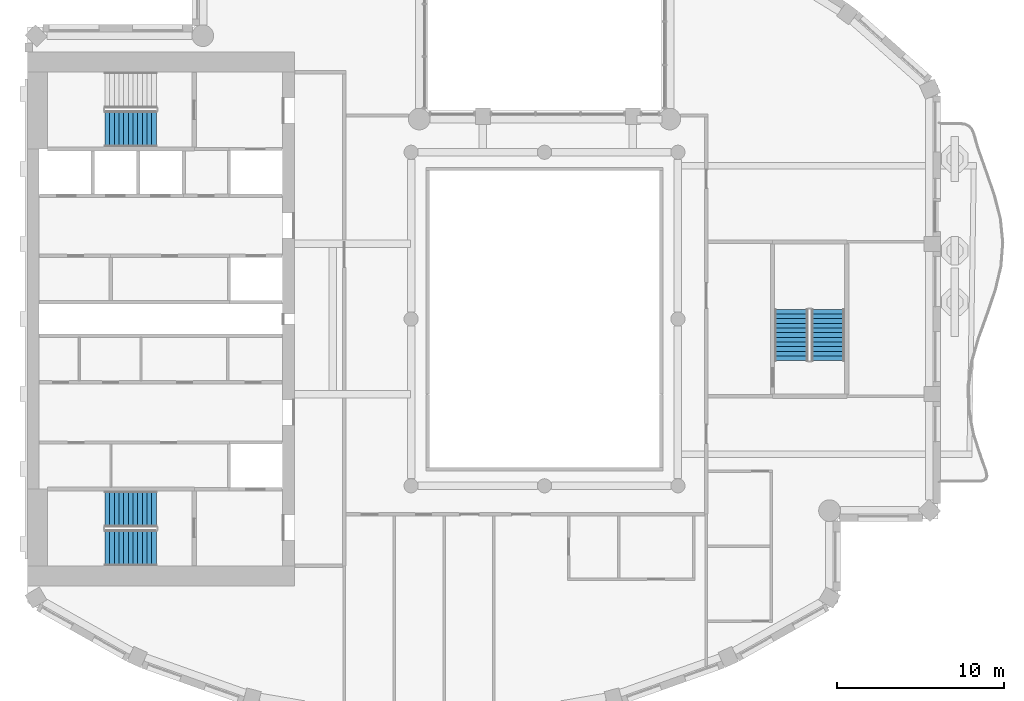
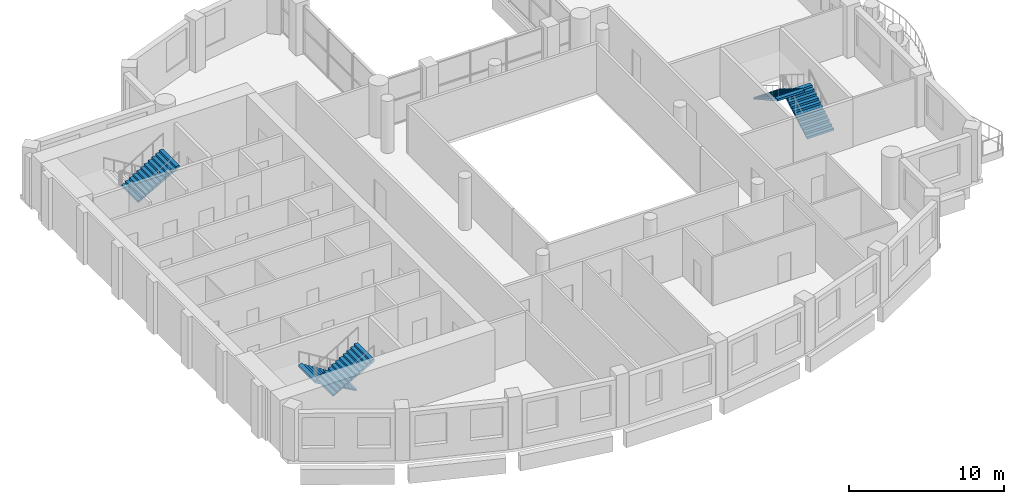
# One storey, part 8 of 14: 5 stair flights, 3 elements without a shape of their own.
"""IFC4 building model written with IfcOpenShell, lengths in metres."""

from ifc_helpers import new_model, si_unit, direction, frame, origin, place, context, subcontext, project, spatial, triangles, material, type_object, element, aggregate, save


model = new_model("IFC4")

# Units and contexts
model_context = context("Model", 3, precision=1e-05, world=origin(), true_north=direction((0.0, 1.0)))
body_context = subcontext(model_context, "Body", "Model", "MODEL_VIEW")
ifc_project = project(units=[si_unit("LENGTHUNIT", "METRE"), si_unit("AREAUNIT", "SQUARE_METRE"), si_unit("VOLUMEUNIT", "CUBIC_METRE"), si_unit("PLANEANGLEUNIT", "RADIAN"), si_unit("MASSUNIT", "GRAM", prefix="KILO")], contexts=[model_context])

# Site, building, storey
site_placement = place(None, origin())
site = spatial("IfcSite", under=ifc_project, at=site_placement, CompositionType="ELEMENT")
building_placement = place(site_placement, origin())
building = spatial("IfcBuilding", under=site, at=building_placement, Name="Cypress Arch Tower", CompositionType="ELEMENT")
storey_placement = place(building_placement, frame((0.0, 0.0, 276.199951171875)))
storey = spatial("IfcBuildingStorey", under=building, at=storey_placement, Name="L62", CompositionType="ELEMENT", Elevation=276.199951171875)

# Stair, stair flights
ifc_material_1 = material(Name="Concrete C40/50", Category="concrete")
stair_type_1 = type_object("IfcStairType", Name="Exit stair ES1708-200", PredefinedType="HALF_TURN_STAIR", material=ifc_material_1)
stair_1_placement = place(storey_placement, origin())
stair_1 = element("IfcStair", 1, at=stair_1_placement, inside=storey, type_object=stair_type_1, Name="L62 Exit stair C", PredefinedType="HALF_TURN_STAIR")
ifc_material_2 = material(Name="Concrete C40/50", Category="concrete")
stair_flight_type_1 = type_object("IfcStairFlightType", Name="Exit stair flight ES1708-200", PredefinedType="STRAIGHT", material=ifc_material_2)
stair_flight_1_placement = place(storey_placement, frame((18.0, -2.5, 0.0), z_axis=(0.0, 0.0, 1.0), x_axis=(0.0, 1.0, 0.0)))
stair_flight_1 = element("IfcStairFlight", 2, at=stair_flight_1_placement, type_object=stair_flight_type_1, Name="C flight 1", NumberOfRisers=12, NumberOfTreads=11, PredefinedType="STRAIGHT", RiserHeight=0.170833333, TreadLength=0.28, context=body_context, shape_type="Tessellation", body=[
    triangles([(0.0, -1.0, 0.0), (0.0, -1.0, 0.1708984375), (0.280029296875, -1.0, 0.1708984375), (0.280029296875, -1.0, 0.341552734375), (0.56005859375, -1.0, 0.341552734375), (0.56005859375, -1.0, 0.512451171875), (0.840087890625, -1.0, 0.512451171875), (0.840087890625, -1.0, 0.683349609375), (1.1201171875, -1.0, 0.683349609375), (1.1201171875, -1.0, 0.854248046875), (1.39990234375, -1.0, 0.854248046875), (1.39990234375, -1.0, 1.02490234375), (1.679931640625, -1.0, 1.02490234375), (1.679931640625, -1.0, 1.19580078125), (1.9599609375, -1.0, 1.19580078125), (1.9599609375, -1.0, 1.36669921875), (2.239990234375, -1.0, 1.36669921875), (2.239990234375, -1.0, 1.53759765625), (2.52001953125, -1.0, 1.53759765625), (2.52001953125, -1.0, 1.708251953125), (2.800048828125, -1.0, 1.708251953125), (2.800048828125, -1.0, 1.879150390625), (3.080078125, -1.0, 1.879150390625), (3.080078125, -1.0, 1.70361328125), (3.080078125, 1.0, 1.70361328125), (3.080078125, 1.0, 1.879150390625), (2.800048828125, 1.0, 1.879150390625), (2.800048828125, 1.0, 1.708251953125), (2.52001953125, 1.0, 1.708251953125), (2.52001953125, 1.0, 1.53759765625), (2.239990234375, 1.0, 1.53759765625), (2.239990234375, 1.0, 1.36669921875), (1.9599609375, 1.0, 1.36669921875), (1.9599609375, 1.0, 1.19580078125), (1.679931640625, 1.0, 1.19580078125), (1.679931640625, 1.0, 1.02490234375), (1.39990234375, 1.0, 1.02490234375), (1.39990234375, 1.0, 0.854248046875), (1.1201171875, 1.0, 0.854248046875), (1.1201171875, 1.0, 0.683349609375), (0.840087890625, 1.0, 0.683349609375), (0.840087890625, 1.0, 0.512451171875), (0.56005859375, 1.0, 0.512451171875), (0.56005859375, 1.0, 0.341552734375), (0.280029296875, 1.0, 0.341552734375), (0.280029296875, 1.0, 0.1708984375), (0.0, 1.0, 0.1708984375), (0.0, 1.0, 0.0), (3.080078125, 0.0, 1.879150390625), (3.080078125, 0.0, 1.70361328125), (2.800048828125, 0.0, 1.879150390625), (2.800048828125, 0.0, 1.708251953125), (2.52001953125, 0.0, 1.708251953125), (2.52001953125, 0.0, 1.53759765625), (2.239990234375, 0.0, 1.53759765625), (2.239990234375, 0.0, 1.36669921875), (1.9599609375, 0.0, 1.36669921875), (1.9599609375, 0.0, 1.19580078125), (1.679931640625, 0.0, 1.19580078125), (1.679931640625, 0.0, 1.02490234375), (1.39990234375, 0.0, 1.02490234375), (1.39990234375, 0.0, 0.854248046875), (1.1201171875, 0.0, 0.854248046875), (1.1201171875, 0.0, 0.683349609375), (0.840087890625, 0.0, 0.683349609375), (0.840087890625, 0.0, 0.512451171875), (0.56005859375, 0.0, 0.512451171875), (0.56005859375, 0.0, 0.341552734375), (0.280029296875, 0.0, 0.341552734375), (0.280029296875, 0.0, 0.1708984375), (0.0, 0.0, 0.1708984375), (0.0, 0.0, 0.0)], [[24, 23, 22], [11, 10, 9], [19, 18, 17], [17, 16, 15], [15, 14, 13], [9, 8, 7], [7, 6, 5], [3, 2, 1], [21, 20, 19], [13, 12, 11], [5, 4, 3], [24, 22, 21], [24, 21, 19], [24, 19, 17], [24, 17, 15], [24, 15, 13], [24, 13, 11], [24, 11, 9], [24, 9, 7], [24, 7, 5], [1, 24, 5], [5, 3, 1], [25, 27, 26], [38, 40, 39], [30, 32, 31], [32, 34, 33], [34, 36, 35], [40, 42, 41], [42, 44, 43], [46, 48, 47], [28, 30, 29], [36, 38, 37], [44, 46, 45], [25, 28, 27], [25, 30, 28], [25, 32, 30], [25, 34, 32], [25, 36, 34], [25, 38, 36], [25, 40, 38], [25, 42, 40], [25, 44, 42], [48, 44, 25], [44, 48, 46], [50, 49, 23], [50, 23, 24], [25, 26, 49], [25, 49, 50], [49, 51, 22], [49, 22, 23], [26, 27, 51], [26, 51, 49], [51, 52, 21], [51, 21, 22], [27, 28, 52], [27, 52, 51], [52, 53, 20], [52, 20, 21], [28, 29, 53], [28, 53, 52], [53, 54, 19], [53, 19, 20], [29, 30, 54], [29, 54, 53], [54, 55, 18], [54, 18, 19], [30, 31, 55], [30, 55, 54], [55, 56, 17], [55, 17, 18], [31, 32, 56], [31, 56, 55], [56, 57, 16], [56, 16, 17], [32, 33, 57], [32, 57, 56], [57, 58, 15], [57, 15, 16], [33, 34, 58], [33, 58, 57], [58, 59, 14], [58, 14, 15], [34, 35, 59], [34, 59, 58], [59, 60, 13], [59, 13, 14], [35, 36, 60], [35, 60, 59], [60, 61, 12], [60, 12, 13], [36, 37, 61], [36, 61, 60], [61, 62, 11], [61, 11, 12], [37, 38, 62], [37, 62, 61], [62, 63, 10], [62, 10, 11], [38, 39, 63], [38, 63, 62], [63, 64, 9], [63, 9, 10], [39, 40, 64], [39, 64, 63], [64, 65, 8], [64, 8, 9], [40, 41, 65], [40, 65, 64], [65, 66, 7], [65, 7, 8], [41, 42, 66], [41, 66, 65], [66, 67, 6], [66, 6, 7], [42, 43, 67], [42, 67, 66], [67, 68, 5], [67, 5, 6], [43, 44, 68], [43, 68, 67], [68, 69, 4], [68, 4, 5], [44, 45, 69], [44, 69, 68], [69, 70, 3], [69, 3, 4], [45, 46, 70], [45, 70, 69], [70, 71, 2], [70, 2, 3], [46, 47, 71], [46, 71, 70], [71, 72, 1], [71, 1, 2], [47, 48, 72], [47, 72, 71], [72, 50, 24], [72, 24, 1], [48, 25, 50], [48, 50, 72]], closed=True),
])
stair_flight_2_placement = place(storey_placement, frame((15.800048828125, 0.580078125, 2.050048828125), z_axis=(0.0, 0.0, 1.0), x_axis=(0.0, -1.0, 0.0)))
stair_flight_2 = element("IfcStairFlight", 3, at=stair_flight_2_placement, type_object=stair_flight_type_1, Name="C flight 2", NumberOfRisers=12, NumberOfTreads=11, PredefinedType="STRAIGHT", RiserHeight=0.170833333, TreadLength=0.28, context=body_context, shape_type="Tessellation", body=[
    triangles([(0.0, -1.0, 0.0), (0.0, -1.0, 0.1708984375), (0.280029296875, -1.0, 0.1708984375), (0.280029296875, -1.0, 0.341552734375), (0.56005859375, -1.0, 0.341552734375), (0.56005859375, -1.0, 0.512451171875), (0.840087890625, -1.0, 0.512451171875), (0.840087890625, -1.0, 0.683349609375), (1.1201171875, -1.0, 0.683349609375), (1.1201171875, -1.0, 0.854248046875), (1.39990234375, -1.0, 0.854248046875), (1.39990234375, -1.0, 1.02490234375), (1.679931640625, -1.0, 1.02490234375), (1.679931640625, -1.0, 1.19580078125), (1.9599609375, -1.0, 1.19580078125), (1.9599609375, -1.0, 1.36669921875), (2.239990234375, -1.0, 1.36669921875), (2.239990234375, -1.0, 1.53759765625), (2.52001953125, -1.0, 1.53759765625), (2.52001953125, -1.0, 1.708251953125), (2.800048828125, -1.0, 1.708251953125), (2.800048828125, -1.0, 1.879150390625), (3.080078125, -1.0, 1.879150390625), (3.080078125, -1.0, 1.70361328125), (3.080078125, 1.0, 1.70361328125), (3.080078125, 1.0, 1.879150390625), (2.800048828125, 1.0, 1.879150390625), (2.800048828125, 1.0, 1.708251953125), (2.52001953125, 1.0, 1.708251953125), (2.52001953125, 1.0, 1.53759765625), (2.239990234375, 1.0, 1.53759765625), (2.239990234375, 1.0, 1.36669921875), (1.9599609375, 1.0, 1.36669921875), (1.9599609375, 1.0, 1.19580078125), (1.679931640625, 1.0, 1.19580078125), (1.679931640625, 1.0, 1.02490234375), (1.39990234375, 1.0, 1.02490234375), (1.39990234375, 1.0, 0.854248046875), (1.1201171875, 1.0, 0.854248046875), (1.1201171875, 1.0, 0.683349609375), (0.840087890625, 1.0, 0.683349609375), (0.840087890625, 1.0, 0.512451171875), (0.56005859375, 1.0, 0.512451171875), (0.56005859375, 1.0, 0.341552734375), (0.280029296875, 1.0, 0.341552734375), (0.280029296875, 1.0, 0.1708984375), (0.0, 1.0, 0.1708984375), (0.0, 1.0, 0.0), (3.080078125, 0.0, 1.879150390625), (3.080078125, 0.0, 1.70361328125), (2.800048828125, 0.0, 1.879150390625), (2.800048828125, 0.0, 1.708251953125), (2.52001953125, 0.0, 1.708251953125), (2.52001953125, 0.0, 1.53759765625), (2.239990234375, 0.0, 1.53759765625), (2.239990234375, 0.0, 1.36669921875), (1.9599609375, 0.0, 1.36669921875), (1.9599609375, 0.0, 1.19580078125), (1.679931640625, 0.0, 1.19580078125), (1.679931640625, 0.0, 1.02490234375), (1.39990234375, 0.0, 1.02490234375), (1.39990234375, 0.0, 0.854248046875), (1.1201171875, 0.0, 0.854248046875), (1.1201171875, 0.0, 0.683349609375), (0.840087890625, 0.0, 0.683349609375), (0.840087890625, 0.0, 0.512451171875), (0.56005859375, 0.0, 0.512451171875), (0.56005859375, 0.0, 0.341552734375), (0.280029296875, 0.0, 0.341552734375), (0.280029296875, 0.0, 0.1708984375), (0.0, 0.0, 0.1708984375), (0.0, 0.0, 0.0)], [[24, 23, 22], [11, 10, 9], [19, 18, 17], [17, 16, 15], [15, 14, 13], [9, 8, 7], [7, 6, 5], [3, 2, 1], [21, 20, 19], [13, 12, 11], [5, 4, 3], [24, 22, 21], [24, 21, 19], [24, 19, 17], [24, 17, 15], [24, 15, 13], [24, 13, 11], [24, 11, 9], [24, 9, 7], [24, 7, 5], [1, 24, 5], [5, 3, 1], [25, 27, 26], [38, 40, 39], [30, 32, 31], [32, 34, 33], [34, 36, 35], [40, 42, 41], [42, 44, 43], [46, 48, 47], [28, 30, 29], [36, 38, 37], [44, 46, 45], [25, 28, 27], [25, 30, 28], [25, 32, 30], [25, 34, 32], [25, 36, 34], [25, 38, 36], [25, 40, 38], [25, 42, 40], [25, 44, 42], [48, 44, 25], [44, 48, 46], [50, 49, 23], [50, 23, 24], [25, 26, 49], [25, 49, 50], [49, 51, 22], [49, 22, 23], [26, 27, 51], [26, 51, 49], [51, 52, 21], [51, 21, 22], [27, 28, 52], [27, 52, 51], [52, 53, 20], [52, 20, 21], [28, 29, 53], [28, 53, 52], [53, 54, 19], [53, 19, 20], [29, 30, 54], [29, 54, 53], [54, 55, 18], [54, 18, 19], [30, 31, 55], [30, 55, 54], [55, 56, 17], [55, 17, 18], [31, 32, 56], [31, 56, 55], [56, 57, 16], [56, 16, 17], [32, 33, 57], [32, 57, 56], [57, 58, 15], [57, 15, 16], [33, 34, 58], [33, 58, 57], [58, 59, 14], [58, 14, 15], [34, 35, 59], [34, 59, 58], [59, 60, 13], [59, 13, 14], [35, 36, 60], [35, 60, 59], [60, 61, 12], [60, 12, 13], [36, 37, 61], [36, 61, 60], [61, 62, 11], [61, 11, 12], [37, 38, 62], [37, 62, 61], [62, 63, 10], [62, 10, 11], [38, 39, 63], [38, 63, 62], [63, 64, 9], [63, 9, 10], [39, 40, 64], [39, 64, 63], [64, 65, 8], [64, 8, 9], [40, 41, 65], [40, 65, 64], [65, 66, 7], [65, 7, 8], [41, 42, 66], [41, 66, 65], [66, 67, 6], [66, 6, 7], [42, 43, 67], [42, 67, 66], [67, 68, 5], [67, 5, 6], [43, 44, 68], [43, 68, 67], [68, 69, 4], [68, 4, 5], [44, 45, 69], [44, 69, 68], [69, 70, 3], [69, 3, 4], [45, 46, 70], [45, 70, 69], [70, 71, 2], [70, 2, 3], [46, 47, 71], [46, 71, 70], [71, 72, 1], [71, 1, 2], [47, 48, 72], [47, 72, 71], [72, 50, 24], [72, 24, 1], [48, 25, 50], [48, 50, 72]], closed=True),
])
aggregate(stair_1, [stair_flight_1, stair_flight_2])

ifc_material_3 = material(Name="Concrete C40/50", Category="concrete")
stair_type_2 = type_object("IfcStairType", Name="Exit stair ES1708-215", PredefinedType="HALF_TURN_STAIR", material=ifc_material_3)
stair_2_placement = place(storey_placement, origin())
stair_2 = element("IfcStair", 4, at=stair_2_placement, inside=storey, type_object=stair_type_2, Name="L62 Exit stair A", PredefinedType="HALF_TURN_STAIR")
ifc_material_4 = material(Name="Concrete C40/50", Category="concrete")
stair_flight_type_2 = type_object("IfcStairFlightType", Name="Exit stair flight ES1708-215", PredefinedType="STRAIGHT", material=ifc_material_4)
stair_flight_3_placement = place(storey_placement, frame((-22.27490234375, -11.39990234375, 0.0), z_axis=(0.0, 0.0, 1.0), x_axis=(-1.0, 0.0, 0.0)))
stair_flight_3 = element("IfcStairFlight", 5, at=stair_flight_3_placement, type_object=stair_flight_type_2, Name="A flight 1", NumberOfRisers=12, NumberOfTreads=11, PredefinedType="STRAIGHT", RiserHeight=0.170833333, TreadLength=0.28, context=body_context, shape_type="Tessellation", body=[
    triangles([(0.0, -1.074951171875, 0.0), (0.000244140625, -1.074951171875, 0.01904296875), (0.000244140625, -1.074951171875, 0.0380859375), (0.00048828125, -1.074951171875, 0.056884765625), (0.00048828125, -1.074951171875, 0.075927734375), (0.00048828125, -1.074951171875, 0.094970703125), (0.00048828125, -1.074951171875, 0.114013671875), (0.000244140625, -1.074951171875, 0.1328125), (0.000244140625, -1.074951171875, 0.15185546875), (0.0, -1.074951171875, 0.1708984375), (0.280029296875, -1.074951171875, 0.1708984375), (0.280029296875, -1.074951171875, 0.341552734375), (0.56005859375, -1.074951171875, 0.341552734375), (0.56005859375, -1.074951171875, 0.512451171875), (0.840087890625, -1.074951171875, 0.512451171875), (0.840087890625, -1.074951171875, 0.683349609375), (1.1201171875, -1.074951171875, 0.683349609375), (1.1201171875, -1.074951171875, 0.854248046875), (1.39990234375, -1.074951171875, 0.854248046875), (1.39990234375, -1.074951171875, 1.02490234375), (1.679931640625, -1.074951171875, 1.02490234375), (1.679931640625, -1.074951171875, 1.19580078125), (1.9599609375, -1.074951171875, 1.19580078125), (1.9599609375, -1.074951171875, 1.36669921875), (2.239990234375, -1.074951171875, 1.36669921875), (2.239990234375, -1.074951171875, 1.53759765625), (2.52001953125, -1.074951171875, 1.53759765625), (2.52001953125, -1.074951171875, 1.708251953125), (2.800048828125, -1.074951171875, 1.708251953125), (2.800048828125, -1.074951171875, 1.879150390625), (3.080078125, -1.074951171875, 1.879150390625), (3.079833984375, -1.074951171875, 1.859619140625), (3.079833984375, -1.074951171875, 1.840087890625), (3.07958984375, -1.074951171875, 1.820556640625), (3.07958984375, -1.074951171875, 1.801025390625), (3.07958984375, -1.074951171875, 1.78173828125), (3.07958984375, -1.074951171875, 1.76220703125), (3.079833984375, -1.074951171875, 1.74267578125), (3.079833984375, -1.074951171875, 1.72314453125), (3.080078125, -1.074951171875, 1.70361328125), (3.080078125, 1.074951171875, 1.70361328125), (3.079833984375, 1.074951171875, 1.72314453125), (3.079833984375, 1.074951171875, 1.74267578125), (3.07958984375, 1.074951171875, 1.76220703125), (3.07958984375, 1.074951171875, 1.78173828125), (3.07958984375, 1.074951171875, 1.801025390625), (3.07958984375, 1.074951171875, 1.820556640625), (3.079833984375, 1.074951171875, 1.840087890625), (3.079833984375, 1.074951171875, 1.859619140625), (3.080078125, 1.074951171875, 1.879150390625), (2.800048828125, 1.074951171875, 1.879150390625), (2.800048828125, 1.074951171875, 1.708251953125), (2.52001953125, 1.074951171875, 1.708251953125), (2.52001953125, 1.074951171875, 1.53759765625), (2.239990234375, 1.074951171875, 1.53759765625), (2.239990234375, 1.074951171875, 1.36669921875), (1.9599609375, 1.074951171875, 1.36669921875), (1.9599609375, 1.074951171875, 1.19580078125), (1.679931640625, 1.074951171875, 1.19580078125), (1.679931640625, 1.074951171875, 1.02490234375), (1.39990234375, 1.074951171875, 1.02490234375), (1.39990234375, 1.074951171875, 0.854248046875), (1.1201171875, 1.074951171875, 0.854248046875), (1.1201171875, 1.074951171875, 0.683349609375), (0.840087890625, 1.074951171875, 0.683349609375), (0.840087890625, 1.074951171875, 0.512451171875), (0.56005859375, 1.074951171875, 0.512451171875), (0.56005859375, 1.074951171875, 0.341552734375), (0.280029296875, 1.074951171875, 0.341552734375), (0.280029296875, 1.074951171875, 0.1708984375), (0.0, 1.074951171875, 0.1708984375), (0.000244140625, 1.074951171875, 0.15185546875), (0.000244140625, 1.074951171875, 0.1328125), (0.00048828125, 1.074951171875, 0.114013671875), (0.00048828125, 1.074951171875, 0.094970703125), (0.00048828125, 1.074951171875, 0.075927734375), (0.00048828125, 1.074951171875, 0.056884765625), (0.000244140625, 1.074951171875, 0.0380859375), (0.000244140625, 1.074951171875, 0.01904296875), (0.0, 1.074951171875, 0.0)], [[40, 39, 30], [39, 38, 30], [38, 37, 30], [37, 36, 30], [36, 35, 30], [35, 34, 30], [34, 33, 30], [33, 32, 30], [32, 31, 30], [19, 18, 17], [27, 26, 25], [25, 24, 23], [23, 22, 21], [17, 16, 15], [15, 14, 13], [10, 9, 11], [9, 8, 11], [8, 7, 11], [7, 6, 11], [6, 5, 11], [5, 4, 11], [4, 3, 11], [3, 2, 11], [2, 1, 11], [29, 28, 27], [21, 20, 19], [13, 12, 11], [40, 30, 29], [40, 29, 27], [40, 27, 25], [40, 25, 23], [40, 23, 21], [40, 21, 19], [40, 19, 17], [40, 17, 15], [40, 15, 13], [1, 40, 13], [13, 11, 1], [41, 51, 42], [42, 51, 43], [43, 51, 44], [44, 51, 45], [45, 51, 46], [46, 51, 47], [47, 51, 48], [48, 51, 49], [49, 51, 50], [62, 64, 63], [54, 56, 55], [56, 58, 57], [58, 60, 59], [64, 66, 65], [66, 68, 67], [71, 70, 72], [72, 70, 73], [73, 70, 74], [74, 70, 75], [75, 70, 76], [76, 70, 77], [77, 70, 78], [78, 70, 79], [79, 70, 80], [52, 54, 53], [60, 62, 61], [68, 70, 69], [41, 52, 51], [41, 54, 52], [41, 56, 54], [41, 58, 56], [41, 60, 58], [41, 62, 60], [41, 64, 62], [41, 66, 64], [41, 68, 66], [80, 68, 41], [68, 80, 70], [41, 42, 39], [41, 39, 40], [42, 43, 38], [42, 38, 39], [43, 44, 37], [43, 37, 38], [44, 45, 36], [44, 36, 37], [45, 46, 35], [45, 35, 36], [46, 47, 34], [46, 34, 35], [47, 48, 33], [47, 33, 34], [48, 49, 32], [48, 32, 33], [49, 50, 31], [49, 31, 32], [50, 51, 30], [50, 30, 31], [51, 52, 29], [51, 29, 30], [52, 53, 28], [52, 28, 29], [53, 54, 27], [53, 27, 28], [54, 55, 26], [54, 26, 27], [55, 56, 25], [55, 25, 26], [56, 57, 24], [56, 24, 25], [57, 58, 23], [57, 23, 24], [58, 59, 22], [58, 22, 23], [59, 60, 21], [59, 21, 22], [60, 61, 20], [60, 20, 21], [61, 62, 19], [61, 19, 20], [62, 63, 18], [62, 18, 19], [63, 64, 17], [63, 17, 18], [64, 65, 16], [64, 16, 17], [65, 66, 15], [65, 15, 16], [66, 67, 14], [66, 14, 15], [67, 68, 13], [67, 13, 14], [68, 69, 12], [68, 12, 13], [69, 70, 11], [69, 11, 12], [70, 71, 10], [70, 10, 11], [71, 72, 9], [71, 9, 10], [72, 73, 8], [72, 8, 9], [73, 74, 7], [73, 7, 8], [74, 75, 6], [74, 6, 7], [75, 76, 5], [75, 5, 6], [76, 77, 4], [76, 4, 5], [77, 78, 3], [77, 3, 4], [78, 79, 2], [78, 2, 3], [79, 80, 1], [79, 1, 2], [80, 41, 40], [80, 40, 1]], closed=True),
])
stair_flight_4_placement = place(storey_placement, frame((-25.35498046875, -13.72509765625, 2.050048828125), z_axis=(0.0, 0.0, 1.0), x_axis=(1.0, 0.0, 0.0)))
stair_flight_4 = element("IfcStairFlight", 6, at=stair_flight_4_placement, type_object=stair_flight_type_2, Name="A flight 2", NumberOfRisers=12, NumberOfTreads=11, PredefinedType="STRAIGHT", RiserHeight=0.170833333, TreadLength=0.28, context=body_context, shape_type="Tessellation", body=[
    triangles([(0.0, -1.074951171875, 0.0), (0.000244140625, -1.074951171875, 0.01904296875), (0.000244140625, -1.074951171875, 0.0380859375), (0.00048828125, -1.074951171875, 0.056884765625), (0.00048828125, -1.074951171875, 0.075927734375), (0.00048828125, -1.074951171875, 0.094970703125), (0.00048828125, -1.074951171875, 0.114013671875), (0.000244140625, -1.074951171875, 0.1328125), (0.000244140625, -1.074951171875, 0.15185546875), (0.0, -1.074951171875, 0.1708984375), (0.280029296875, -1.074951171875, 0.1708984375), (0.280029296875, -1.074951171875, 0.341552734375), (0.56005859375, -1.074951171875, 0.341552734375), (0.56005859375, -1.074951171875, 0.512451171875), (0.840087890625, -1.074951171875, 0.512451171875), (0.840087890625, -1.074951171875, 0.683349609375), (1.1201171875, -1.074951171875, 0.683349609375), (1.1201171875, -1.074951171875, 0.854248046875), (1.39990234375, -1.074951171875, 0.854248046875), (1.39990234375, -1.074951171875, 1.02490234375), (1.679931640625, -1.074951171875, 1.02490234375), (1.679931640625, -1.074951171875, 1.19580078125), (1.9599609375, -1.074951171875, 1.19580078125), (1.9599609375, -1.074951171875, 1.36669921875), (2.239990234375, -1.074951171875, 1.36669921875), (2.239990234375, -1.074951171875, 1.53759765625), (2.52001953125, -1.074951171875, 1.53759765625), (2.52001953125, -1.074951171875, 1.708251953125), (2.800048828125, -1.074951171875, 1.708251953125), (2.800048828125, -1.074951171875, 1.879150390625), (3.080078125, -1.074951171875, 1.879150390625), (3.079833984375, -1.074951171875, 1.859619140625), (3.079833984375, -1.074951171875, 1.840087890625), (3.07958984375, -1.074951171875, 1.820556640625), (3.07958984375, -1.074951171875, 1.801025390625), (3.07958984375, -1.074951171875, 1.78173828125), (3.07958984375, -1.074951171875, 1.76220703125), (3.079833984375, -1.074951171875, 1.74267578125), (3.079833984375, -1.074951171875, 1.72314453125), (3.080078125, -1.074951171875, 1.70361328125), (3.080078125, 1.074951171875, 1.70361328125), (3.079833984375, 1.074951171875, 1.72314453125), (3.079833984375, 1.074951171875, 1.74267578125), (3.07958984375, 1.074951171875, 1.76220703125), (3.07958984375, 1.074951171875, 1.78173828125), (3.07958984375, 1.074951171875, 1.801025390625), (3.07958984375, 1.074951171875, 1.820556640625), (3.079833984375, 1.074951171875, 1.840087890625), (3.079833984375, 1.074951171875, 1.859619140625), (3.080078125, 1.074951171875, 1.879150390625), (2.800048828125, 1.074951171875, 1.879150390625), (2.800048828125, 1.074951171875, 1.708251953125), (2.52001953125, 1.074951171875, 1.708251953125), (2.52001953125, 1.074951171875, 1.53759765625), (2.239990234375, 1.074951171875, 1.53759765625), (2.239990234375, 1.074951171875, 1.36669921875), (1.9599609375, 1.074951171875, 1.36669921875), (1.9599609375, 1.074951171875, 1.19580078125), (1.679931640625, 1.074951171875, 1.19580078125), (1.679931640625, 1.074951171875, 1.02490234375), (1.39990234375, 1.074951171875, 1.02490234375), (1.39990234375, 1.074951171875, 0.854248046875), (1.1201171875, 1.074951171875, 0.854248046875), (1.1201171875, 1.074951171875, 0.683349609375), (0.840087890625, 1.074951171875, 0.683349609375), (0.840087890625, 1.074951171875, 0.512451171875), (0.56005859375, 1.074951171875, 0.512451171875), (0.56005859375, 1.074951171875, 0.341552734375), (0.280029296875, 1.074951171875, 0.341552734375), (0.280029296875, 1.074951171875, 0.1708984375), (0.0, 1.074951171875, 0.1708984375), (0.000244140625, 1.074951171875, 0.15185546875), (0.000244140625, 1.074951171875, 0.1328125), (0.00048828125, 1.074951171875, 0.114013671875), (0.00048828125, 1.074951171875, 0.094970703125), (0.00048828125, 1.074951171875, 0.075927734375), (0.00048828125, 1.074951171875, 0.056884765625), (0.000244140625, 1.074951171875, 0.0380859375), (0.000244140625, 1.074951171875, 0.01904296875), (0.0, 1.074951171875, 0.0)], [[40, 39, 30], [39, 38, 30], [38, 37, 30], [37, 36, 30], [36, 35, 30], [35, 34, 30], [34, 33, 30], [33, 32, 30], [32, 31, 30], [19, 18, 17], [27, 26, 25], [25, 24, 23], [23, 22, 21], [17, 16, 15], [15, 14, 13], [10, 9, 11], [9, 8, 11], [8, 7, 11], [7, 6, 11], [6, 5, 11], [5, 4, 11], [4, 3, 11], [3, 2, 11], [2, 1, 11], [29, 28, 27], [21, 20, 19], [13, 12, 11], [40, 30, 29], [40, 29, 27], [40, 27, 25], [40, 25, 23], [40, 23, 21], [40, 21, 19], [40, 19, 17], [40, 17, 15], [40, 15, 13], [1, 40, 13], [13, 11, 1], [41, 51, 42], [42, 51, 43], [43, 51, 44], [44, 51, 45], [45, 51, 46], [46, 51, 47], [47, 51, 48], [48, 51, 49], [49, 51, 50], [62, 64, 63], [54, 56, 55], [56, 58, 57], [58, 60, 59], [64, 66, 65], [66, 68, 67], [71, 70, 72], [72, 70, 73], [73, 70, 74], [74, 70, 75], [75, 70, 76], [76, 70, 77], [77, 70, 78], [78, 70, 79], [79, 70, 80], [52, 54, 53], [60, 62, 61], [68, 70, 69], [41, 52, 51], [41, 54, 52], [41, 56, 54], [41, 58, 56], [41, 60, 58], [41, 62, 60], [41, 64, 62], [41, 66, 64], [41, 68, 66], [80, 68, 41], [68, 80, 70], [41, 42, 39], [41, 39, 40], [42, 43, 38], [42, 38, 39], [43, 44, 37], [43, 37, 38], [44, 45, 36], [44, 36, 37], [45, 46, 35], [45, 35, 36], [46, 47, 34], [46, 34, 35], [47, 48, 33], [47, 33, 34], [48, 49, 32], [48, 32, 33], [49, 50, 31], [49, 31, 32], [50, 51, 30], [50, 30, 31], [51, 52, 29], [51, 29, 30], [52, 53, 28], [52, 28, 29], [53, 54, 27], [53, 27, 28], [54, 55, 26], [54, 26, 27], [55, 56, 25], [55, 25, 26], [56, 57, 24], [56, 24, 25], [57, 58, 23], [57, 23, 24], [58, 59, 22], [58, 22, 23], [59, 60, 21], [59, 21, 22], [60, 61, 20], [60, 20, 21], [61, 62, 19], [61, 19, 20], [62, 63, 18], [62, 18, 19], [63, 64, 17], [63, 17, 18], [64, 65, 16], [64, 16, 17], [65, 66, 15], [65, 15, 16], [66, 67, 14], [66, 14, 15], [67, 68, 13], [67, 13, 14], [68, 69, 12], [68, 12, 13], [69, 70, 11], [69, 11, 12], [70, 71, 10], [70, 10, 11], [71, 72, 9], [71, 9, 10], [72, 73, 8], [72, 8, 9], [73, 74, 7], [73, 7, 8], [74, 75, 6], [74, 6, 7], [75, 76, 5], [75, 5, 6], [76, 77, 4], [76, 4, 5], [77, 78, 3], [77, 3, 4], [78, 79, 2], [78, 2, 3], [79, 80, 1], [79, 1, 2], [80, 41, 40], [80, 40, 1]], closed=True),
])
aggregate(stair_2, [stair_flight_3, stair_flight_4])

# Stair, stair flight
stair_3_placement = place(storey_placement, origin())
stair_3 = element("IfcStair", 7, at=stair_3_placement, inside=storey, type_object=stair_type_2, Name="L62 Exit stair B", PredefinedType="HALF_TURN_STAIR")
stair_flight_5_placement = place(storey_placement, frame((-25.35498046875, 11.39990234375, 2.050048828125), z_axis=(0.0, 0.0, 1.0), x_axis=(1.0, 0.0, 0.0)))
stair_flight_5 = element("IfcStairFlight", 8, at=stair_flight_5_placement, type_object=stair_flight_type_2, Name="B flight 2", NumberOfRisers=12, NumberOfTreads=11, PredefinedType="STRAIGHT", RiserHeight=0.170833333, TreadLength=0.28, context=body_context, shape_type="Tessellation", body=[
    triangles([(0.0, -1.074951171875, 0.0), (0.000244140625, -1.074951171875, 0.01904296875), (0.000244140625, -1.074951171875, 0.0380859375), (0.00048828125, -1.074951171875, 0.056884765625), (0.00048828125, -1.074951171875, 0.075927734375), (0.00048828125, -1.074951171875, 0.094970703125), (0.00048828125, -1.074951171875, 0.114013671875), (0.000244140625, -1.074951171875, 0.1328125), (0.000244140625, -1.074951171875, 0.15185546875), (0.0, -1.074951171875, 0.1708984375), (0.280029296875, -1.074951171875, 0.1708984375), (0.280029296875, -1.074951171875, 0.341552734375), (0.56005859375, -1.074951171875, 0.341552734375), (0.56005859375, -1.074951171875, 0.512451171875), (0.840087890625, -1.074951171875, 0.512451171875), (0.840087890625, -1.074951171875, 0.683349609375), (1.1201171875, -1.074951171875, 0.683349609375), (1.1201171875, -1.074951171875, 0.854248046875), (1.39990234375, -1.074951171875, 0.854248046875), (1.39990234375, -1.074951171875, 1.02490234375), (1.679931640625, -1.074951171875, 1.02490234375), (1.679931640625, -1.074951171875, 1.19580078125), (1.9599609375, -1.074951171875, 1.19580078125), (1.9599609375, -1.074951171875, 1.36669921875), (2.239990234375, -1.074951171875, 1.36669921875), (2.239990234375, -1.074951171875, 1.53759765625), (2.52001953125, -1.074951171875, 1.53759765625), (2.52001953125, -1.074951171875, 1.708251953125), (2.800048828125, -1.074951171875, 1.708251953125), (2.800048828125, -1.074951171875, 1.879150390625), (3.080078125, -1.074951171875, 1.879150390625), (3.079833984375, -1.074951171875, 1.859619140625), (3.079833984375, -1.074951171875, 1.840087890625), (3.07958984375, -1.074951171875, 1.820556640625), (3.07958984375, -1.074951171875, 1.801025390625), (3.07958984375, -1.074951171875, 1.78173828125), (3.07958984375, -1.074951171875, 1.76220703125), (3.079833984375, -1.074951171875, 1.74267578125), (3.079833984375, -1.074951171875, 1.72314453125), (3.080078125, -1.074951171875, 1.70361328125), (3.080078125, 1.074951171875, 1.70361328125), (3.079833984375, 1.074951171875, 1.72314453125), (3.079833984375, 1.074951171875, 1.74267578125), (3.07958984375, 1.074951171875, 1.76220703125), (3.07958984375, 1.074951171875, 1.78173828125), (3.07958984375, 1.074951171875, 1.801025390625), (3.07958984375, 1.074951171875, 1.820556640625), (3.079833984375, 1.074951171875, 1.840087890625), (3.079833984375, 1.074951171875, 1.859619140625), (3.080078125, 1.074951171875, 1.879150390625), (2.800048828125, 1.074951171875, 1.879150390625), (2.800048828125, 1.074951171875, 1.708251953125), (2.52001953125, 1.074951171875, 1.708251953125), (2.52001953125, 1.074951171875, 1.53759765625), (2.239990234375, 1.074951171875, 1.53759765625), (2.239990234375, 1.074951171875, 1.36669921875), (1.9599609375, 1.074951171875, 1.36669921875), (1.9599609375, 1.074951171875, 1.19580078125), (1.679931640625, 1.074951171875, 1.19580078125), (1.679931640625, 1.074951171875, 1.02490234375), (1.39990234375, 1.074951171875, 1.02490234375), (1.39990234375, 1.074951171875, 0.854248046875), (1.1201171875, 1.074951171875, 0.854248046875), (1.1201171875, 1.074951171875, 0.683349609375), (0.840087890625, 1.074951171875, 0.683349609375), (0.840087890625, 1.074951171875, 0.512451171875), (0.56005859375, 1.074951171875, 0.512451171875), (0.56005859375, 1.074951171875, 0.341552734375), (0.280029296875, 1.074951171875, 0.341552734375), (0.280029296875, 1.074951171875, 0.1708984375), (0.0, 1.074951171875, 0.1708984375), (0.000244140625, 1.074951171875, 0.15185546875), (0.000244140625, 1.074951171875, 0.1328125), (0.00048828125, 1.074951171875, 0.114013671875), (0.00048828125, 1.074951171875, 0.094970703125), (0.00048828125, 1.074951171875, 0.075927734375), (0.00048828125, 1.074951171875, 0.056884765625), (0.000244140625, 1.074951171875, 0.0380859375), (0.000244140625, 1.074951171875, 0.01904296875), (0.0, 1.074951171875, 0.0)], [[40, 39, 30], [39, 38, 30], [38, 37, 30], [37, 36, 30], [36, 35, 30], [35, 34, 30], [34, 33, 30], [33, 32, 30], [32, 31, 30], [19, 18, 17], [27, 26, 25], [25, 24, 23], [23, 22, 21], [17, 16, 15], [15, 14, 13], [10, 9, 11], [9, 8, 11], [8, 7, 11], [7, 6, 11], [6, 5, 11], [5, 4, 11], [4, 3, 11], [3, 2, 11], [2, 1, 11], [29, 28, 27], [21, 20, 19], [13, 12, 11], [40, 30, 29], [40, 29, 27], [40, 27, 25], [40, 25, 23], [40, 23, 21], [40, 21, 19], [40, 19, 17], [40, 17, 15], [40, 15, 13], [1, 40, 13], [13, 11, 1], [41, 51, 42], [42, 51, 43], [43, 51, 44], [44, 51, 45], [45, 51, 46], [46, 51, 47], [47, 51, 48], [48, 51, 49], [49, 51, 50], [62, 64, 63], [54, 56, 55], [56, 58, 57], [58, 60, 59], [64, 66, 65], [66, 68, 67], [71, 70, 72], [72, 70, 73], [73, 70, 74], [74, 70, 75], [75, 70, 76], [76, 70, 77], [77, 70, 78], [78, 70, 79], [79, 70, 80], [52, 54, 53], [60, 62, 61], [68, 70, 69], [41, 52, 51], [41, 54, 52], [41, 56, 54], [41, 58, 56], [41, 60, 58], [41, 62, 60], [41, 64, 62], [41, 66, 64], [41, 68, 66], [80, 68, 41], [68, 80, 70], [41, 42, 39], [41, 39, 40], [42, 43, 38], [42, 38, 39], [43, 44, 37], [43, 37, 38], [44, 45, 36], [44, 36, 37], [45, 46, 35], [45, 35, 36], [46, 47, 34], [46, 34, 35], [47, 48, 33], [47, 33, 34], [48, 49, 32], [48, 32, 33], [49, 50, 31], [49, 31, 32], [50, 51, 30], [50, 30, 31], [51, 52, 29], [51, 29, 30], [52, 53, 28], [52, 28, 29], [53, 54, 27], [53, 27, 28], [54, 55, 26], [54, 26, 27], [55, 56, 25], [55, 25, 26], [56, 57, 24], [56, 24, 25], [57, 58, 23], [57, 23, 24], [58, 59, 22], [58, 22, 23], [59, 60, 21], [59, 21, 22], [60, 61, 20], [60, 20, 21], [61, 62, 19], [61, 19, 20], [62, 63, 18], [62, 18, 19], [63, 64, 17], [63, 17, 18], [64, 65, 16], [64, 16, 17], [65, 66, 15], [65, 15, 16], [66, 67, 14], [66, 14, 15], [67, 68, 13], [67, 13, 14], [68, 69, 12], [68, 12, 13], [69, 70, 11], [69, 11, 12], [70, 71, 10], [70, 10, 11], [71, 72, 9], [71, 9, 10], [72, 73, 8], [72, 8, 9], [73, 74, 7], [73, 7, 8], [74, 75, 6], [74, 6, 7], [75, 76, 5], [75, 5, 6], [76, 77, 4], [76, 4, 5], [77, 78, 3], [77, 3, 4], [78, 79, 2], [78, 2, 3], [79, 80, 1], [79, 1, 2], [80, 41, 40], [80, 40, 1]], closed=True),
])
aggregate(stair_3, [stair_flight_5])

save(model, "model.ifc")
